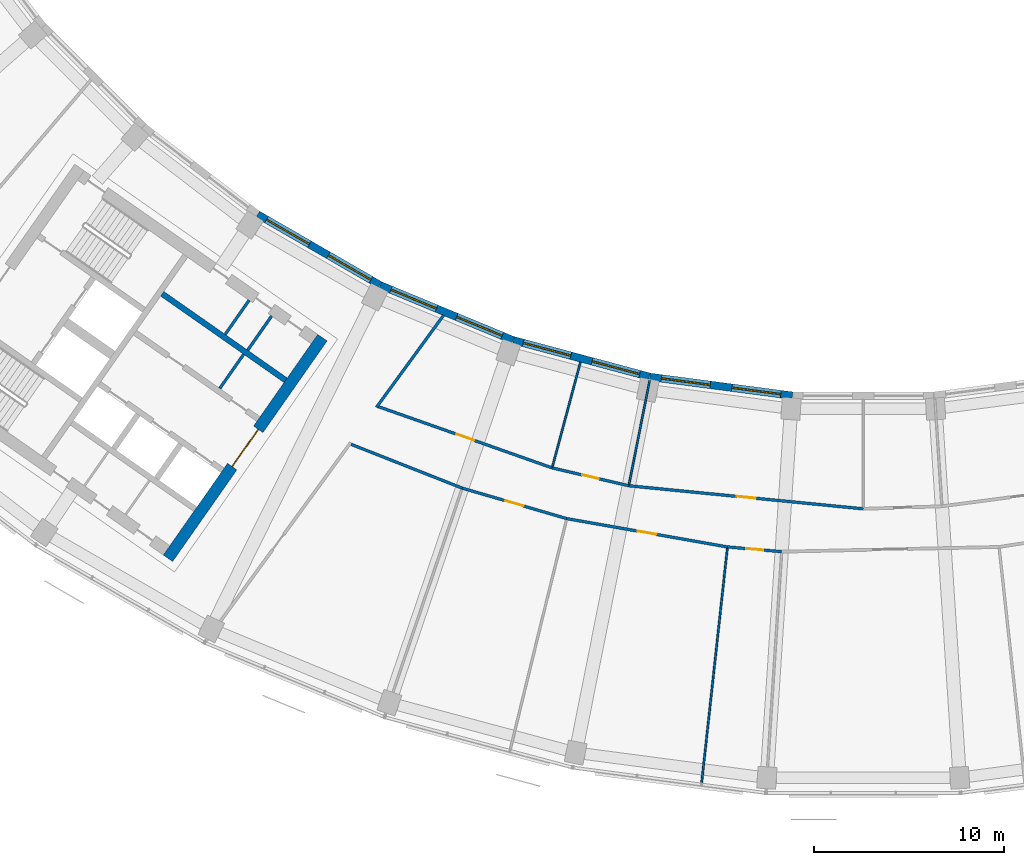
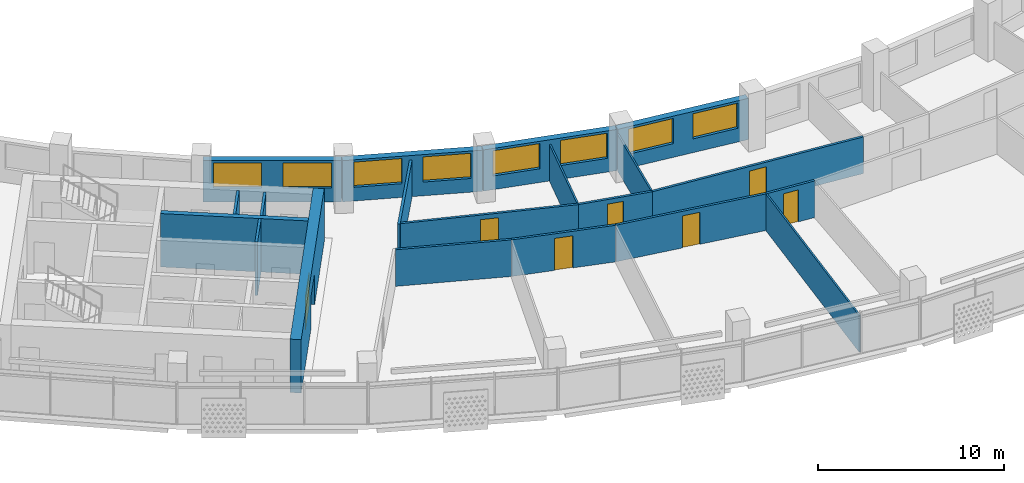
# One storey, part 4 of 28: 20 walls, 8 windows, 7 doors, 15 openings.
"""IFC4 building model written with IfcOpenShell, lengths in metres."""

from ifc_helpers import new_model, si_unit, direction, frame, frame_2d, origin, place, context, subcontext, project, spatial, rectangle, extrude, material, layer, layer_set, type_object, element, fill, save


model = new_model("IFC4")

# Units and contexts
model_context = context("Model", 3, precision=1e-05, world=origin(), true_north=direction((0.0, 1.0)))
body_context = subcontext(model_context, "Body", "Model", "MODEL_VIEW")
ifc_project = project(units=[si_unit("LENGTHUNIT", "METRE"), si_unit("AREAUNIT", "SQUARE_METRE"), si_unit("VOLUMEUNIT", "CUBIC_METRE"), si_unit("PLANEANGLEUNIT", "RADIAN"), si_unit("MASSUNIT", "GRAM", prefix="KILO")], contexts=[model_context])

# Site, building, storey
site_placement = place(None, origin())
site = spatial("IfcSite", under=ifc_project, at=site_placement, CompositionType="ELEMENT")
building_placement = place(site_placement, origin())
building = spatial("IfcBuilding", under=site, at=building_placement, Name="Qamariyya Broadcast Tower", CompositionType="ELEMENT")
storey_placement = place(building_placement, frame((0.0, 0.0, 245.5)))
storey = spatial("IfcBuildingStorey", under=building, at=storey_placement, Name="L59", CompositionType="ELEMENT", Elevation=245.5)

# Wall, opening, door
ifc_material_1 = material(Name="Concrete C60/75", Category="concrete")
ifc_layer_1 = layer(ifc_material_1, 0.60009765625)
ifc_layer_set_1 = layer_set([ifc_layer_1], Name="Core wall 600 mm Concrete C60/75")
wall_type_1 = type_object("IfcWallType", Name="Core wall 600 mm Concrete C60/75", PredefinedType="SHEAR", material=ifc_layer_set_1)
wall_1_placement = place(storey_placement, frame((-36.66748046875, -66.005126953125, 0.0), z_axis=(0.0, 0.0, 1.0), x_axis=(0.573568499524, 0.819157601658, 0.0)))
wall_1 = element("IfcWall", 1, at=wall_1_placement, inside=storey, type_object=wall_type_1, Name="k-W-L59-WA", PredefinedType="SHEAR", context=body_context, shape_type="SweptSolid", body=[
    extrude(rectangle(XDim=14.19970703125, YDim=0.60009765625, at=frame_2d((7.099853515625, 0.0))), origin(), (0.0, 0.0, 1.0), 3.5),
])
opening_1_placement = place(wall_1_placement, frame((5.89990234375, 0.0, 0.0)))
opening_1 = element("IfcOpeningElement", 2, at=opening_1_placement, cuts=wall_1, Name="Opening KD3-W1", PredefinedType="OPENING", context=body_context, shape_type="SweptSolid", body=[
    extrude(rectangle(XDim=2.39990234375, YDim=2.10009765625, at=frame_2d((1.199951171875, 1.050048828125))), frame((0.0, 0.31005859375, 0.0), z_axis=(0.0, -1.0, 0.0), x_axis=(1.0, 0.0, 0.0)), (0.0, 0.0, 1.0), 0.6201171875),
])
ifc_material_2 = material(Name="Steel fire-resisting door leaf", Category="steel")
door_type_1 = type_object("IfcDoorType", Name="Lift lobby door KD3", OperationType="DOUBLE_DOOR_SINGLE_SWING", PredefinedType="DOOR", material=ifc_material_2)
door_1_placement = place(opening_1_placement, origin())
door_1 = element("IfcDoor", 3, at=door_1_placement, inside=storey, type_object=door_type_1, Name="k-W-L59-WA-D1", OperationType="DOUBLE_DOOR_SINGLE_SWING", OverallHeight=2.10009765625, OverallWidth=2.39990234375, PredefinedType="DOOR", context=body_context, shape_type="SweptSolid", body=[
    extrude(rectangle(XDim=2.39990234375, YDim=2.10009765625, at=frame_2d((1.199951171875, 1.050048828125))), frame((0.0, 0.02490234375, 0.0), z_axis=(0.0, -1.0, 0.0), x_axis=(1.0, 0.0, 0.0)), (0.0, 0.0, 1.0), 0.050048828125),
])
fill(opening_1, door_1)

# Wall
ifc_material_3 = material(Name="Gypsum board partition")
ifc_layer_2 = layer(ifc_material_3, 0.14990234375)
ifc_layer_set_2 = layer_set([ifc_layer_2], Name="Corridor partition 150 EI 60")
wall_type_2 = type_object("IfcWallType", Name="Corridor partition 150 EI 60", PredefinedType="PARTITIONING", material=ifc_layer_set_2)
wall_2_placement = place(storey_placement, frame((-27.008056640625, -59.997802734375, 0.0), z_axis=(0.0, 0.0, 1.0), x_axis=(0.930254850636, -0.366914040162, 0.0)))
element("IfcWall", 4, at=wall_2_placement, inside=storey, type_object=wall_type_2, Name="Partition L59-003", PredefinedType="PARTITIONING", context=body_context, shape_type="SweptSolid", body=[
    extrude(rectangle(XDim=6.296630859375, YDim=0.14990234375, at=frame_2d((3.1484375, 0.0))), origin(), (0.0, 0.0, 1.0), 2.39990234375),
])

# Wall, opening, door
wall_3_placement = place(storey_placement, frame((-25.56103515625, -58.0126953125, 0.0), z_axis=(0.0, 0.0, 1.0), x_axis=(0.943087830275, -0.332543748081, 0.0)))
wall_3 = element("IfcWall", 5, at=wall_3_placement, inside=storey, type_object=wall_type_2, Name="Partition L59-004", PredefinedType="PARTITIONING", context=body_context, shape_type="SweptSolid", body=[
    extrude(rectangle(XDim=9.7041015625, YDim=0.14990234375, at=frame_2d((4.85205078125, 0.0))), origin(), (0.0, 0.0, 1.0), 2.39990234375),
])
opening_2_placement = place(wall_3_placement, frame((4.35205078125, 0.0, 0.0)))
opening_2 = element("IfcOpeningElement", 6, at=opening_2_placement, cuts=wall_3, Name="Opening L59-D09", PredefinedType="OPENING", context=body_context, shape_type="SweptSolid", body=[
    extrude(rectangle(XDim=1.0, YDim=2.10009765625, at=frame_2d((0.5, 1.050048828125))), frame((0.0, 0.0849609375, 0.0), z_axis=(0.0, -1.0, 0.0), x_axis=(1.0, 0.0, 0.0)), (0.0, 0.0, 1.0), 0.169921875),
])
ifc_material_4 = material(Name="Timber fire door leaf", Category="wood")
door_type_2 = type_object("IfcDoorType", Name="Fire door 1000 x 2100 FD60", OperationType="NOTDEFINED", PredefinedType="DOOR", material=ifc_material_4)
door_2_placement = place(opening_2_placement, origin())
door_2 = element("IfcDoor", 7, at=door_2_placement, inside=storey, type_object=door_type_2, Name="Door L59-D09", OperationType="SINGLE_SWING_RIGHT", OverallHeight=2.10009765625, OverallWidth=1.0, PredefinedType="DOOR", context=body_context, shape_type="SweptSolid", body=[
    extrude(rectangle(XDim=1.0, YDim=2.10009765625, at=frame_2d((0.5, 1.050048828125))), frame((0.0, 0.02490234375, 0.0), z_axis=(0.0, -1.0, 0.0), x_axis=(1.0, 0.0, 0.0)), (0.0, 0.0, 1.0), 0.050048828125),
])
fill(opening_2, door_2)

# Wall
wall_4_placement = place(storey_placement, frame((-22.135498046875, -53.1943359375, 0.0), z_axis=(0.0, 0.0, 1.0), x_axis=(-0.589297062476, -0.807916438846, 0.0)))
element("IfcWall", 8, at=wall_4_placement, inside=storey, type_object=wall_type_2, Name="Partition L59-006", PredefinedType="PARTITIONING", context=body_context, shape_type="SweptSolid", body=[
    extrude(rectangle(XDim=6.008056640625, YDim=0.14990234375, at=frame_2d((3.00390625, 0.0))), origin(), (0.0, 0.0, 1.0), 2.39990234375),
])

# Wall, opening, door
wall_5_placement = place(storey_placement, frame((-15.637939453125, -63.914794921875, 0.0), z_axis=(0.0, 0.0, 1.0), x_axis=(-0.960055220634, 0.279810602612, 0.0)))
wall_5 = element("IfcWall", 9, at=wall_5_placement, inside=storey, type_object=wall_type_2, Name="Partition L59-007", PredefinedType="PARTITIONING", context=body_context, shape_type="SweptSolid", body=[
    extrude(rectangle(XDim=5.741943359375, YDim=0.14990234375, at=frame_2d((2.87109375, 0.0))), origin(), (0.0, 0.0, 1.0), 2.39990234375),
])
opening_3_placement = place(wall_5_placement, frame((2.37109375, 0.0, 0.0)))
opening_3 = element("IfcOpeningElement", 10, at=opening_3_placement, cuts=wall_5, Name="Opening L59-D02", PredefinedType="OPENING", context=body_context, shape_type="SweptSolid", body=[
    extrude(rectangle(XDim=1.0, YDim=2.10009765625, at=frame_2d((0.5, 1.050048828125))), frame((0.0, 0.0849609375, 0.0), z_axis=(0.0, -1.0, 0.0), x_axis=(1.0, 0.0, 0.0)), (0.0, 0.0, 1.0), 0.169921875),
])
door_3_placement = place(opening_3_placement, origin())
door_3 = element("IfcDoor", 11, at=door_3_placement, inside=storey, type_object=door_type_2, Name="Door L59-D02", OperationType="SINGLE_SWING_RIGHT", OverallHeight=2.10009765625, OverallWidth=1.0, PredefinedType="DOOR", context=body_context, shape_type="SweptSolid", body=[
    extrude(rectangle(XDim=1.0, YDim=2.10009765625, at=frame_2d((0.5, 1.050048828125))), frame((0.0, 0.02490234375, 0.0), z_axis=(0.0, -1.0, 0.0), x_axis=(1.0, 0.0, 0.0)), (0.0, 0.0, 1.0), 0.050048828125),
])
fill(opening_3, door_3)

wall_6_placement = place(storey_placement, frame((-16.4091796875, -61.23974609375, 0.0), z_axis=(0.0, 0.0, 1.0), x_axis=(0.973875922187, -0.227080796599, 0.0)))
wall_6 = element("IfcWall", 12, at=wall_6_placement, inside=storey, type_object=wall_type_2, Name="Partition L59-009", PredefinedType="PARTITIONING", context=body_context, shape_type="SweptSolid", body=[
    extrude(rectangle(XDim=4.14892578125, YDim=0.14990234375, at=frame_2d((2.074462890625, 0.0))), origin(), (0.0, 0.0, 1.0), 2.39990234375),
])
opening_4_placement = place(wall_6_placement, frame((1.62451171875, 0.0, 0.0)))
opening_4 = element("IfcOpeningElement", 13, at=opening_4_placement, cuts=wall_6, Name="Opening L59-D10", PredefinedType="OPENING", context=body_context, shape_type="SweptSolid", body=[
    extrude(rectangle(XDim=0.89990234375, YDim=2.10009765625, at=frame_2d((0.449951171875, 1.050048828125))), frame((0.0, 0.0849609375, 0.0), z_axis=(0.0, -1.0, 0.0), x_axis=(1.0, 0.0, 0.0)), (0.0, 0.0, 1.0), 0.169921875),
])
door_type_3 = type_object("IfcDoorType", Name="Fire door 900 x 2100 FD60", OperationType="NOTDEFINED", PredefinedType="DOOR", material=ifc_material_4)
door_4_placement = place(opening_4_placement, origin())
door_4 = element("IfcDoor", 14, at=door_4_placement, inside=storey, type_object=door_type_3, Name="Door L59-D10", OperationType="SINGLE_SWING_RIGHT", OverallHeight=2.10009765625, OverallWidth=0.89990234375, PredefinedType="DOOR", context=body_context, shape_type="SweptSolid", body=[
    extrude(rectangle(XDim=0.89990234375, YDim=2.10009765625, at=frame_2d((0.449951171875, 1.050048828125))), frame((0.0, 0.02490234375, 0.0), z_axis=(0.0, -1.0, 0.0), x_axis=(1.0, 0.0, 0.0)), (0.0, 0.0, 1.0), 0.050048828125),
])
fill(opening_4, door_4)

wall_7_placement = place(storey_placement, frame((-7.16162109375, -65.4091796875, 0.0), z_axis=(0.0, 0.0, 1.0), x_axis=(-0.984812101115, 0.173623516545, 0.0)))
wall_7 = element("IfcWall", 15, at=wall_7_placement, inside=storey, type_object=wall_type_2, Name="Partition L59-010", PredefinedType="PARTITIONING", context=body_context, shape_type="SweptSolid", body=[
    extrude(rectangle(XDim=8.60693359375, YDim=0.14990234375, at=frame_2d((4.303466796875, 0.0))), origin(), (0.0, 0.0, 1.0), 2.39990234375),
])
opening_5_placement = place(wall_7_placement, frame((3.803466796875, 0.0, 0.0)))
opening_5 = element("IfcOpeningElement", 16, at=opening_5_placement, cuts=wall_7, Name="Opening L59-D03", PredefinedType="OPENING", context=body_context, shape_type="SweptSolid", body=[
    extrude(rectangle(XDim=1.0, YDim=2.10009765625, at=frame_2d((0.5, 1.050048828125))), frame((0.0, 0.0849609375, 0.0), z_axis=(0.0, -1.0, 0.0), x_axis=(1.0, 0.0, 0.0)), (0.0, 0.0, 1.0), 0.169921875),
])
door_5_placement = place(opening_5_placement, origin())
door_5 = element("IfcDoor", 17, at=door_5_placement, inside=storey, type_object=door_type_2, Name="Door L59-D03", OperationType="SINGLE_SWING_RIGHT", OverallHeight=2.10009765625, OverallWidth=1.0, PredefinedType="DOOR", context=body_context, shape_type="SweptSolid", body=[
    extrude(rectangle(XDim=1.0, YDim=2.10009765625, at=frame_2d((0.5, 1.050048828125))), frame((0.0, 0.02490234375, 0.0), z_axis=(0.0, -1.0, 0.0), x_axis=(1.0, 0.0, 0.0)), (0.0, 0.0, 1.0), 0.050048828125),
])
fill(opening_5, door_5)

wall_8_placement = place(storey_placement, frame((-12.36865234375, -62.181884765625, 0.0), z_axis=(0.0, 0.0, 1.0), x_axis=(0.995186204818, -0.098002131298, 0.0)))
wall_8 = element("IfcWall", 18, at=wall_8_placement, inside=storey, type_object=wall_type_2, Name="Partition L59-012", PredefinedType="PARTITIONING", context=body_context, shape_type="SweptSolid", body=[
    extrude(rectangle(XDim=12.428466796875, YDim=0.14990234375, at=frame_2d((6.21435546875, 0.0))), origin(), (0.0, 0.0, 1.0), 2.39990234375),
])
opening_6_placement = place(wall_8_placement, frame((5.71435546875, 0.0, 0.0)))
opening_6 = element("IfcOpeningElement", 19, at=opening_6_placement, cuts=wall_8, Name="Opening L59-D11", PredefinedType="OPENING", context=body_context, shape_type="SweptSolid", body=[
    extrude(rectangle(XDim=1.0, YDim=2.10009765625, at=frame_2d((0.5, 1.050048828125))), frame((0.0, 0.0849609375, 0.0), z_axis=(0.0, -1.0, 0.0), x_axis=(1.0, 0.0, 0.0)), (0.0, 0.0, 1.0), 0.169921875),
])
door_6_placement = place(opening_6_placement, origin())
door_6 = element("IfcDoor", 20, at=door_6_placement, inside=storey, type_object=door_type_2, Name="Door L59-D11", OperationType="SINGLE_SWING_RIGHT", OverallHeight=2.10009765625, OverallWidth=1.0, PredefinedType="DOOR", context=body_context, shape_type="SweptSolid", body=[
    extrude(rectangle(XDim=1.0, YDim=2.10009765625, at=frame_2d((0.5, 1.050048828125))), frame((0.0, 0.02490234375, 0.0), z_axis=(0.0, -1.0, 0.0), x_axis=(1.0, 0.0, 0.0)), (0.0, 0.0, 1.0), 0.050048828125),
])
fill(opening_6, door_6)

wall_9_placement = place(storey_placement, frame((-4.303466796875, -65.6591796875, 0.0), z_axis=(0.0, 0.0, 1.0), x_axis=(-0.996196395596, 0.087136338011, 0.0)))
wall_9 = element("IfcWall", 21, at=wall_9_placement, inside=storey, type_object=wall_type_2, Name="Partition L59-015", PredefinedType="PARTITIONING", context=body_context, shape_type="SweptSolid", body=[
    extrude(rectangle(XDim=2.869140625, YDim=0.14990234375, at=frame_2d((1.4345703125, 0.0))), origin(), (0.0, 0.0, 1.0), 2.39990234375),
])
opening_7_placement = place(wall_9_placement, frame((0.984619140625, 0.0, 0.0)))
opening_7 = element("IfcOpeningElement", 22, at=opening_7_placement, cuts=wall_9, Name="Opening L59-D04", PredefinedType="OPENING", context=body_context, shape_type="SweptSolid", body=[
    extrude(rectangle(XDim=0.89990234375, YDim=2.10009765625, at=frame_2d((0.449951171875, 1.050048828125))), frame((0.0, 0.0849609375, 0.0), z_axis=(0.0, -1.0, 0.0), x_axis=(1.0, 0.0, 0.0)), (0.0, 0.0, 1.0), 0.169921875),
])
door_7_placement = place(opening_7_placement, origin())
door_7 = element("IfcDoor", 23, at=door_7_placement, inside=storey, type_object=door_type_3, Name="Door L59-D04", OperationType="SINGLE_SWING_RIGHT", OverallHeight=2.10009765625, OverallWidth=0.89990234375, PredefinedType="DOOR", context=body_context, shape_type="SweptSolid", body=[
    extrude(rectangle(XDim=0.89990234375, YDim=2.10009765625, at=frame_2d((0.449951171875, 1.050048828125))), frame((0.0, 0.02490234375, 0.0), z_axis=(0.0, -1.0, 0.0), x_axis=(1.0, 0.0, 0.0)), (0.0, 0.0, 1.0), 0.050048828125),
])
fill(opening_7, door_7)

# Walls
ifc_material_5 = material(Name="Gypsum board partition on steel studs", Category="steel")
ifc_layer_3 = layer(ifc_material_5, 0.14990234375)
ifc_layer_set_3 = layer_set([ifc_layer_3], Name="Gypsum board partition 150 mm")
wall_type_3 = type_object("IfcWallType", Name="Gypsum board partition 150 mm", PredefinedType="PARTITIONING", material=ifc_layer_set_3)
wall_10_placement = place(storey_placement, frame((-33.9384765625, -57.051513671875, 0.0), z_axis=(0.0, 0.0, 1.0), x_axis=(0.573581496053, 0.819148501424, 0.0)))
element("IfcWall", 24, at=wall_10_placement, inside=storey, type_object=wall_type_3, Name="k-W-L59-NC260", PredefinedType="PARTITIONING", context=body_context, shape_type="SweptSolid", body=[
    extrude(rectangle(XDim=2.2001953125, YDim=0.14990234375, at=frame_2d((1.10009765625, 0.0))), origin(), (0.0, 0.0, 1.0), 3.5),
])
wall_11_placement = place(storey_placement, frame((-32.46337890625, -55.0322265625, 0.0), z_axis=(0.0, 0.0, 1.0), x_axis=(0.573507030513, 0.819200638399, 0.0)))
element("IfcWall", 25, at=wall_11_placement, inside=storey, type_object=wall_type_3, Name="k-W-L59-NP255", PredefinedType="PARTITIONING", context=body_context, shape_type="SweptSolid", body=[
    extrude(rectangle(XDim=2.199951171875, YDim=0.14990234375, at=frame_2d((1.10009765625, 0.0))), origin(), (0.0, 0.0, 1.0), 3.5),
])
wall_12_placement = place(storey_placement, frame((-33.651123046875, -54.200439453125, 0.0), z_axis=(0.0, 0.0, 1.0), x_axis=(0.573559170999, 0.819164133348, 0.0)))
element("IfcWall", 26, at=wall_12_placement, inside=storey, type_object=wall_type_3, Name="k-W-L59-NP400", PredefinedType="PARTITIONING", context=body_context, shape_type="SweptSolid", body=[
    extrude(rectangle(XDim=2.19970703125, YDim=0.14990234375, at=frame_2d((1.099853515625, 0.0))), origin(), (0.0, 0.0, 1.0), 3.5),
])
ifc_layer_4 = layer(ifc_material_1, 0.300048828125)
ifc_layer_set_4 = layer_set([ifc_layer_4], Name="Lift shaft wall 300 mm Concrete C60/75")
wall_type_4 = type_object("IfcWallType", Name="Lift shaft wall 300 mm Concrete C60/75", PredefinedType="SOLIDWALL", material=ifc_layer_set_4)
wall_13_placement = place(storey_placement, frame((-30.460693359375, -56.61767578125, 0.0), z_axis=(0.0, 0.0, 1.0), x_axis=(-0.819142461705, 0.573590121456, 0.0)))
element("IfcWall", 27, at=wall_13_placement, inside=storey, type_object=wall_type_4, Name="k-W-L59-NB0", PredefinedType="SOLIDWALL", context=body_context, shape_type="SweptSolid", body=[
    extrude(rectangle(XDim=7.949951171875, YDim=0.300048828125, at=frame_2d((3.97509765625, 0.0))), origin(), (0.0, 0.0, 1.0), 3.5),
])
ifc_layer_5 = layer(ifc_material_3, 0.10009765625)
ifc_layer_set_5 = layer_set([ifc_layer_5], Name="Partition 100")
wall_type_5 = type_object("IfcWallType", Name="Partition 100", PredefinedType="PARTITIONING", material=ifc_layer_set_5)
wall_14_placement = place(storey_placement, frame((-14.9150390625, -55.66357421875, 0.0), z_axis=(0.0, 0.0, 1.0), x_axis=(-0.258803907589, -0.965929882247, 0.0)))
element("IfcWall", 28, at=wall_14_placement, inside=storey, type_object=wall_type_5, Name="Partition L59-011", PredefinedType="PARTITIONING", context=body_context, shape_type="SweptSolid", body=[
    extrude(rectangle(XDim=5.69775390625, YDim=0.10009765625, at=frame_2d((2.848876953125, 0.0))), origin(), (0.0, 0.0, 1.0), 2.39990234375),
])
wall_15_placement = place(storey_placement, frame((-11.266357421875, -56.640380859375, 0.0), z_axis=(0.0, 0.0, 1.0), x_axis=(-0.195097004053, -0.98078395124, 0.0)))
element("IfcWall", 29, at=wall_15_placement, inside=storey, type_object=wall_type_5, Name="Partition L59-013", PredefinedType="PARTITIONING", context=body_context, shape_type="SweptSolid", body=[
    extrude(rectangle(XDim=5.574951171875, YDim=0.10009765625, at=frame_2d((2.78759765625, 0.0))), origin(), (0.0, 0.0, 1.0), 2.39990234375),
])
wall_16_placement = place(storey_placement, frame((-8.522216796875, -77.835205078125, 0.0), z_axis=(0.0, 0.0, 1.0), x_axis=(0.108852796, 0.994057880006, 0.0)))
element("IfcWall", 30, at=wall_16_placement, inside=storey, type_object=wall_type_5, Name="Partition L59-014", PredefinedType="PARTITIONING", context=body_context, shape_type="SweptSolid", body=[
    extrude(rectangle(XDim=12.42529296875, YDim=0.10009765625, at=frame_2d((6.212646484375, 0.0))), origin(), (0.0, 0.0, 1.0), 2.39990234375),
])

# Wall, openings, windows
ifc_material_6 = material(Name="Terracotta", Category="masonry")
ifc_layer_6 = layer(ifc_material_6, 0.39990234375)
ifc_layer_set_6 = layer_set([ifc_layer_6], Name="Terracotta clad wall 400")
wall_type_6 = type_object("IfcWallType", Name="Terracotta clad wall 400", PredefinedType="SOLIDWALL", material=ifc_layer_set_6)
wall_17_placement = place(storey_placement, frame((-25.497802734375, -51.590087890625, 0.0), z_axis=(0.0, 0.0, 1.0), x_axis=(-0.866021353871, 0.500007014591, 0.0)))
wall_17 = element("IfcWall", 31, at=wall_17_placement, inside=storey, type_object=wall_type_6, Name="e-wl-L59-in40", PredefinedType="SOLIDWALL", context=body_context, shape_type="SweptSolid", body=[
    extrude(rectangle(XDim=7.4267578125, YDim=0.39990234375, at=frame_2d((3.71337890625, 0.0))), origin(), (0.0, 0.0, 1.0), 2.699951171875),
])
opening_8_placement = place(wall_17_placement, frame((4.28857421875, 0.0, 0.89990234375)))
opening_8 = element("IfcOpeningElement", 32, at=opening_8_placement, cuts=wall_17, Name="Opening W1", PredefinedType="OPENING", context=body_context, shape_type="SweptSolid", body=[
    extrude(rectangle(XDim=2.60009765625, YDim=1.64990234375, at=frame_2d((1.300048828125, 0.824951171875))), frame((0.0, 0.2099609375, 0.0), z_axis=(0.0, -1.0, 0.0), x_axis=(1.0, 0.0, 0.0)), (0.0, 0.0, 1.0), 0.419921875),
])
opening_9_placement = place(wall_17_placement, frame((0.537841796875, 0.0, 0.89990234375)))
opening_9 = element("IfcOpeningElement", 33, at=opening_9_placement, cuts=wall_17, Name="Opening W1", PredefinedType="OPENING", context=body_context, shape_type="SweptSolid", body=[
    extrude(rectangle(XDim=2.60009765625, YDim=1.64990234375, at=frame_2d((1.300048828125, 0.824951171875))), frame((0.0, 0.2099609375, 0.0), z_axis=(0.0, -1.0, 0.0), x_axis=(1.0, 0.0, 0.0)), (0.0, 0.0, 1.0), 0.419921875),
])
ifc_material_7 = material(Name="Clear low-e double glazed unit in aluminium frame", Category="aluminium")
window_type = type_object("IfcWindowType", Name="Ribbon window 2600 x 1650", PartitioningType="SINGLE_PANEL", PredefinedType="WINDOW", material=ifc_material_7)
window_1_placement = place(opening_8_placement, origin())
window_1 = element("IfcWindow", 34, at=window_1_placement, inside=storey, type_object=window_type, Name="e-w-L59-in04-0", OverallHeight=1.64990234375, OverallWidth=2.60009765625, PartitioningType="SINGLE_PANEL", PredefinedType="WINDOW", context=body_context, shape_type="SweptSolid", body=[
    extrude(rectangle(XDim=2.60009765625, YDim=1.64990234375, at=frame_2d((1.300048828125, 0.824951171875))), frame((0.0, 0.030029296875, 0.0), z_axis=(0.0, -1.0, 0.0), x_axis=(1.0, 0.0, 0.0)), (0.0, 0.0, 1.0), 0.06005859375),
])
fill(opening_8, window_1)
window_2_placement = place(opening_9_placement, origin())
window_2 = element("IfcWindow", 35, at=window_2_placement, inside=storey, type_object=window_type, Name="e-w-L59-in04-1", OverallHeight=1.64990234375, OverallWidth=2.60009765625, PartitioningType="SINGLE_PANEL", PredefinedType="WINDOW", context=body_context, shape_type="SweptSolid", body=[
    extrude(rectangle(XDim=2.60009765625, YDim=1.64990234375, at=frame_2d((1.300048828125, 0.824951171875))), frame((0.0, 0.030029296875, 0.0), z_axis=(0.0, -1.0, 0.0), x_axis=(1.0, 0.0, 0.0)), (0.0, 0.0, 1.0), 0.06005859375),
])
fill(opening_9, window_2)

wall_18_placement = place(storey_placement, frame((-18.475830078125, -54.505859375, 0.0), z_axis=(0.0, 0.0, 1.0), x_axis=(-0.923884115122, 0.382672368777, 0.0)))
wall_18 = element("IfcWall", 36, at=wall_18_placement, inside=storey, type_object=wall_type_6, Name="e-wl-L59-in50", PredefinedType="SOLIDWALL", context=body_context, shape_type="SweptSolid", body=[
    extrude(rectangle(XDim=7.578125, YDim=0.39990234375, at=frame_2d((3.7890625, 0.0))), origin(), (0.0, 0.0, 1.0), 2.699951171875),
])
opening_10_placement = place(wall_18_placement, frame((4.364501953125, 0.0, 0.89990234375)))
opening_10 = element("IfcOpeningElement", 37, at=opening_10_placement, cuts=wall_18, Name="Opening W1", PredefinedType="OPENING", context=body_context, shape_type="SweptSolid", body=[
    extrude(rectangle(XDim=2.60009765625, YDim=1.64990234375, at=frame_2d((1.300048828125, 0.824951171875))), frame((0.0, 0.2099609375, 0.0), z_axis=(0.0, -1.0, 0.0), x_axis=(1.0, 0.0, 0.0)), (0.0, 0.0, 1.0), 0.419921875),
])
opening_11_placement = place(wall_18_placement, frame((0.613525390625, 0.0, 0.89990234375)))
opening_11 = element("IfcOpeningElement", 38, at=opening_11_placement, cuts=wall_18, Name="Opening W1", PredefinedType="OPENING", context=body_context, shape_type="SweptSolid", body=[
    extrude(rectangle(XDim=2.60009765625, YDim=1.64990234375, at=frame_2d((1.300048828125, 0.824951171875))), frame((0.0, 0.2099609375, 0.0), z_axis=(0.0, -1.0, 0.0), x_axis=(1.0, 0.0, 0.0)), (0.0, 0.0, 1.0), 0.419921875),
])
window_3_placement = place(opening_10_placement, origin())
window_3 = element("IfcWindow", 39, at=window_3_placement, inside=storey, type_object=window_type, Name="e-w-L59-in05-0", OverallHeight=1.64990234375, OverallWidth=2.60009765625, PartitioningType="SINGLE_PANEL", PredefinedType="WINDOW", context=body_context, shape_type="SweptSolid", body=[
    extrude(rectangle(XDim=2.60009765625, YDim=1.64990234375, at=frame_2d((1.300048828125, 0.824951171875))), frame((0.0, 0.030029296875, 0.0), z_axis=(0.0, -1.0, 0.0), x_axis=(1.0, 0.0, 0.0)), (0.0, 0.0, 1.0), 0.06005859375),
])
fill(opening_10, window_3)
window_4_placement = place(opening_11_placement, origin())
window_4 = element("IfcWindow", 40, at=window_4_placement, inside=storey, type_object=window_type, Name="e-w-L59-in05-1", OverallHeight=1.64990234375, OverallWidth=2.60009765625, PartitioningType="SINGLE_PANEL", PredefinedType="WINDOW", context=body_context, shape_type="SweptSolid", body=[
    extrude(rectangle(XDim=2.60009765625, YDim=1.64990234375, at=frame_2d((1.300048828125, 0.824951171875))), frame((0.0, 0.030029296875, 0.0), z_axis=(0.0, -1.0, 0.0), x_axis=(1.0, 0.0, 0.0)), (0.0, 0.0, 1.0), 0.06005859375),
])
fill(opening_11, window_4)

wall_19_placement = place(storey_placement, frame((-11.276611328125, -56.431396484375, 0.0), z_axis=(0.0, 0.0, 1.0), x_axis=(-0.965924866111, 0.25882262851, 0.0)))
wall_19 = element("IfcWall", 41, at=wall_19_placement, inside=storey, type_object=wall_type_6, Name="e-wl-L59-in60", PredefinedType="SOLIDWALL", context=body_context, shape_type="SweptSolid", body=[
    extrude(rectangle(XDim=7.426513671875, YDim=0.39990234375, at=frame_2d((3.71337890625, 0.0))), origin(), (0.0, 0.0, 1.0), 2.699951171875),
])
opening_12_placement = place(wall_19_placement, frame((4.28857421875, 0.0, 0.89990234375)))
opening_12 = element("IfcOpeningElement", 42, at=opening_12_placement, cuts=wall_19, Name="Opening W1", PredefinedType="OPENING", context=body_context, shape_type="SweptSolid", body=[
    extrude(rectangle(XDim=2.60009765625, YDim=1.64990234375, at=frame_2d((1.300048828125, 0.824951171875))), frame((0.0, 0.2099609375, 0.0), z_axis=(0.0, -1.0, 0.0), x_axis=(1.0, 0.0, 0.0)), (0.0, 0.0, 1.0), 0.419921875),
])
opening_13_placement = place(wall_19_placement, frame((0.537841796875, 0.0, 0.89990234375)))
opening_13 = element("IfcOpeningElement", 43, at=opening_13_placement, cuts=wall_19, Name="Opening W1", PredefinedType="OPENING", context=body_context, shape_type="SweptSolid", body=[
    extrude(rectangle(XDim=2.60009765625, YDim=1.64990234375, at=frame_2d((1.300048828125, 0.824951171875))), frame((0.0, 0.2099609375, 0.0), z_axis=(0.0, -1.0, 0.0), x_axis=(1.0, 0.0, 0.0)), (0.0, 0.0, 1.0), 0.419921875),
])
window_5_placement = place(opening_12_placement, origin())
window_5 = element("IfcWindow", 44, at=window_5_placement, inside=storey, type_object=window_type, Name="e-w-L59-in06-0", OverallHeight=1.64990234375, OverallWidth=2.60009765625, PartitioningType="SINGLE_PANEL", PredefinedType="WINDOW", context=body_context, shape_type="SweptSolid", body=[
    extrude(rectangle(XDim=2.60009765625, YDim=1.64990234375, at=frame_2d((1.300048828125, 0.824951171875))), frame((0.0, 0.030029296875, 0.0), z_axis=(0.0, -1.0, 0.0), x_axis=(1.0, 0.0, 0.0)), (0.0, 0.0, 1.0), 0.06005859375),
])
fill(opening_12, window_5)
window_6_placement = place(opening_13_placement, origin())
window_6 = element("IfcWindow", 45, at=window_6_placement, inside=storey, type_object=window_type, Name="e-w-L59-in06-1", OverallHeight=1.64990234375, OverallWidth=2.60009765625, PartitioningType="SINGLE_PANEL", PredefinedType="WINDOW", context=body_context, shape_type="SweptSolid", body=[
    extrude(rectangle(XDim=2.60009765625, YDim=1.64990234375, at=frame_2d((1.300048828125, 0.824951171875))), frame((0.0, 0.030029296875, 0.0), z_axis=(0.0, -1.0, 0.0), x_axis=(1.0, 0.0, 0.0)), (0.0, 0.0, 1.0), 0.06005859375),
])
fill(opening_13, window_6)

wall_20_placement = place(storey_placement, frame((-3.7392578125, -57.430419921875, 0.0), z_axis=(0.0, 0.0, 1.0), x_axis=(-0.991446288508, 0.130515351599, 0.0)))
wall_20 = element("IfcWall", 46, at=wall_20_placement, inside=storey, type_object=wall_type_6, Name="e-wl-L59-in70", PredefinedType="SOLIDWALL", context=body_context, shape_type="SweptSolid", body=[
    extrude(rectangle(XDim=7.57763671875, YDim=0.39990234375, at=frame_2d((3.788818359375, 0.0))), origin(), (0.0, 0.0, 1.0), 2.699951171875),
])
opening_14_placement = place(wall_20_placement, frame((4.364501953125, 0.0, 0.89990234375)))
opening_14 = element("IfcOpeningElement", 47, at=opening_14_placement, cuts=wall_20, Name="Opening W1", PredefinedType="OPENING", context=body_context, shape_type="SweptSolid", body=[
    extrude(rectangle(XDim=2.60009765625, YDim=1.64990234375, at=frame_2d((1.300048828125, 0.824951171875))), frame((0.0, 0.2099609375, 0.0), z_axis=(0.0, -1.0, 0.0), x_axis=(1.0, 0.0, 0.0)), (0.0, 0.0, 1.0), 0.419921875),
])
opening_15_placement = place(wall_20_placement, frame((0.613525390625, 0.0, 0.89990234375)))
opening_15 = element("IfcOpeningElement", 48, at=opening_15_placement, cuts=wall_20, Name="Opening W1", PredefinedType="OPENING", context=body_context, shape_type="SweptSolid", body=[
    extrude(rectangle(XDim=2.60009765625, YDim=1.64990234375, at=frame_2d((1.300048828125, 0.824951171875))), frame((0.0, 0.2099609375, 0.0), z_axis=(0.0, -1.0, 0.0), x_axis=(1.0, 0.0, 0.0)), (0.0, 0.0, 1.0), 0.419921875),
])
window_7_placement = place(opening_14_placement, origin())
window_7 = element("IfcWindow", 49, at=window_7_placement, inside=storey, type_object=window_type, Name="e-w-L59-in07-0", OverallHeight=1.64990234375, OverallWidth=2.60009765625, PartitioningType="SINGLE_PANEL", PredefinedType="WINDOW", context=body_context, shape_type="SweptSolid", body=[
    extrude(rectangle(XDim=2.60009765625, YDim=1.64990234375, at=frame_2d((1.300048828125, 0.824951171875))), frame((0.0, 0.030029296875, 0.0), z_axis=(0.0, -1.0, 0.0), x_axis=(1.0, 0.0, 0.0)), (0.0, 0.0, 1.0), 0.06005859375),
])
fill(opening_14, window_7)
window_8_placement = place(opening_15_placement, origin())
window_8 = element("IfcWindow", 50, at=window_8_placement, inside=storey, type_object=window_type, Name="e-w-L59-in07-1", OverallHeight=1.64990234375, OverallWidth=2.60009765625, PartitioningType="SINGLE_PANEL", PredefinedType="WINDOW", context=body_context, shape_type="SweptSolid", body=[
    extrude(rectangle(XDim=2.60009765625, YDim=1.64990234375, at=frame_2d((1.300048828125, 0.824951171875))), frame((0.0, 0.030029296875, 0.0), z_axis=(0.0, -1.0, 0.0), x_axis=(1.0, 0.0, 0.0)), (0.0, 0.0, 1.0), 0.06005859375),
])
fill(opening_15, window_8)

save(model, "model.ifc")
